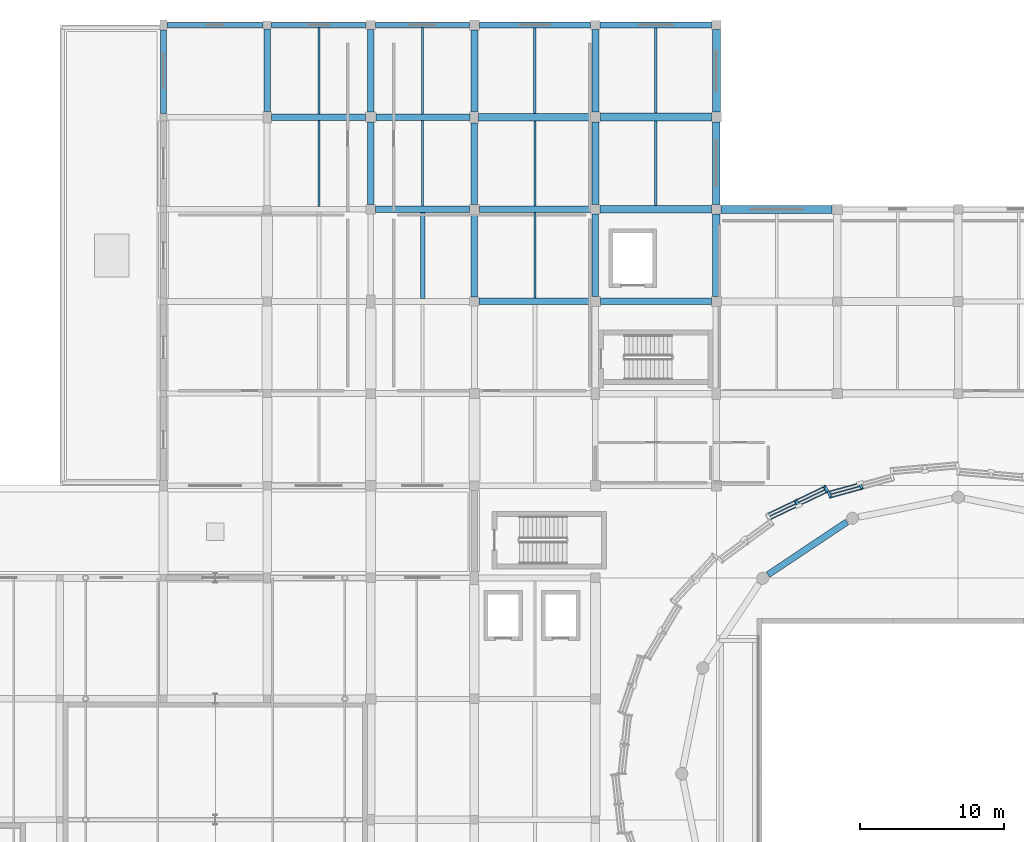
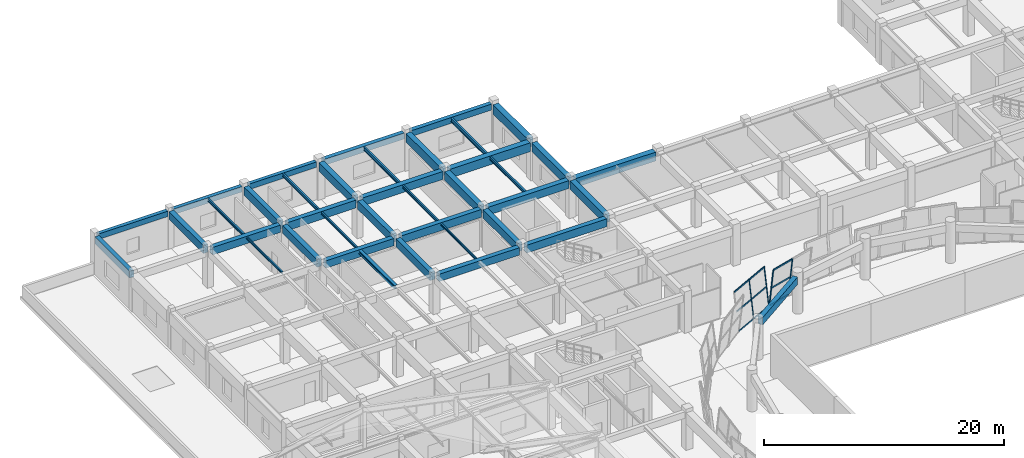
# One storey, part 34 of 74: 39 beams, 13 members, 2 elements without a shape of their own.
"""IFC4 building model written with IfcOpenShell, lengths in metres."""

from ifc_helpers import new_model, si_unit, direction, frame, origin, origin_2d, place, context, subcontext, project, spatial, rectangle, hollow_rectangle, i_section, extrude, material, material_profile, profile_set, type_object, element, aggregate, save


model = new_model("IFC4")

# Units and contexts
model_context = context("Model", 3, precision=1e-05, world=origin(), true_north=direction((0.0, 1.0)))
body_context = subcontext(model_context, "Body", "Model", "MODEL_VIEW")
ifc_project = project(units=[si_unit("LENGTHUNIT", "METRE"), si_unit("AREAUNIT", "SQUARE_METRE"), si_unit("VOLUMEUNIT", "CUBIC_METRE"), si_unit("PLANEANGLEUNIT", "RADIAN"), si_unit("MASSUNIT", "GRAM", prefix="KILO")], contexts=[model_context])

# Site, building, storey
site_placement = place(None, origin())
site = spatial("IfcSite", under=ifc_project, at=site_placement, CompositionType="ELEMENT")
building_placement = place(site_placement, origin())
building = spatial("IfcBuilding", under=site, at=building_placement, Name="Korsvaeld Concert Hall", CompositionType="ELEMENT")
storey_placement = place(building_placement, frame((0.0, 0.0, 9.0)))
storey = spatial("IfcBuildingStorey", under=building, at=storey_placement, Name="L02", CompositionType="ELEMENT", Elevation=9.0)

# Beams
ifc_material_1 = material(Name="Concrete C35/45", Category="concrete")
ifc_material_profile_1 = material_profile(ifc_material_1, rectangle(XDim=0.39990234375, YDim=0.699951171875, at=origin_2d()), Name="RC 400x700")
ifc_profile_set_1 = profile_set([ifc_material_profile_1], Name="Concrete C35/45")
beam_type_1 = type_object("IfcBeamType", Name="BM-RC-400x700", PredefinedType="T_BEAM", material=ifc_profile_set_1)
beam_1_placement = place(storey_placement, frame((28.800048828125, 109.050048828125, 3.489990234375), z_axis=(0.0, 1.0, 0.0), x_axis=(-1.0, 0.0, 0.0)))
element("IfcBeam", 1, at=beam_1_placement, inside=storey, type_object=beam_type_1, Name="Primary girder 5/R-S L02", PredefinedType="T_BEAM", context=body_context, shape_type="SweptSolid", body=[
    extrude(rectangle(XDim=0.39990234375, YDim=0.699951171875, at=origin_2d()), origin(), (0.0, 0.0, 1.0), 5.800048828125),
])
ifc_material_profile_2 = material_profile(ifc_material_1, rectangle(XDim=0.449951171875, YDim=0.75, at=origin_2d()), Name="RC 450x750")
ifc_profile_set_2 = profile_set([ifc_material_profile_2], Name="Concrete C35/45")
beam_type_2 = type_object("IfcBeamType", Name="BM-RC-450x750", PredefinedType="T_BEAM", material=ifc_profile_set_2)
beam_2_placement = place(storey_placement, frame((50.72509765625, 96.0, 3.465087890625), z_axis=(1.0, 0.0, 0.0), x_axis=(0.0, 1.0, 0.0)))
element("IfcBeam", 2, at=beam_2_placement, inside=storey, type_object=beam_type_2, Name="Primary girder 8-9/P L02", PredefinedType="T_BEAM", context=body_context, shape_type="SweptSolid", body=[
    extrude(rectangle(XDim=0.449951171875, YDim=0.75, at=origin_2d()), origin(), (0.0, 0.0, 1.0), 7.724853515625),
])
beam_3_placement = place(storey_placement, frame((43.52490234375, 102.39990234375, 3.465087890625), z_axis=(1.0, 0.0, 0.0), x_axis=(0.0, 1.0, 0.0)))
element("IfcBeam", 3, at=beam_3_placement, inside=storey, type_object=beam_type_2, Name="Primary girder 7-8/Q L02", PredefinedType="T_BEAM", context=body_context, shape_type="SweptSolid", body=[
    extrude(rectangle(XDim=0.449951171875, YDim=0.75, at=origin_2d()), origin(), (0.0, 0.0, 1.0), 6.525146484375),
])
beam_4_placement = place(storey_placement, frame((36.300048828125, 108.800048828125, 3.465087890625), z_axis=(1.0, 0.0, 0.0), x_axis=(0.0, 1.0, 0.0)))
element("IfcBeam", 4, at=beam_4_placement, inside=storey, type_object=beam_type_2, Name="Primary girder 6-7/R L02", PredefinedType="T_BEAM", context=body_context, shape_type="SweptSolid", body=[
    extrude(rectangle(XDim=0.449951171875, YDim=0.75, at=origin_2d()), origin(), (0.0, 0.0, 1.0), 6.550048828125),
])
beam_5_placement = place(storey_placement, frame((76.2783203125, 80.6884765625, 3.465087890625), z_axis=(-0.83148573347, -0.55554610523, 0.0), x_axis=(0.55554610523, -0.83148573347, 0.0)))
element("IfcBeam", 5, at=beam_5_placement, inside=storey, type_object=beam_type_2, Name="Drum ring floor girder L02 06", PredefinedType="T_BEAM", context=body_context, shape_type="SweptSolid", body=[
    extrude(rectangle(XDim=0.449951171875, YDim=0.75, at=origin_2d()), origin(), (0.0, 0.0, 1.0), 6.591552734375),
])
ifc_material_profile_3 = material_profile(ifc_material_1, rectangle(XDim=0.449951171875, YDim=0.800048828125, at=origin_2d()), Name="RC 450x800")
ifc_profile_set_3 = profile_set([ifc_material_profile_3], Name="Concrete C35/45")
beam_type_3 = type_object("IfcBeamType", Name="BM-RC-450x800", PredefinedType="T_BEAM", material=ifc_profile_set_3)
beam_6_placement = place(storey_placement, frame((59.14990234375, 96.0, 3.43994140625), z_axis=(1.0, 0.0, 0.0), x_axis=(0.0, 1.0, 0.0)))
element("IfcBeam", 6, at=beam_6_placement, inside=storey, type_object=beam_type_3, Name="Primary girder 9-10/P L02", PredefinedType="T_BEAM", context=body_context, shape_type="SweptSolid", body=[
    extrude(rectangle(XDim=0.449951171875, YDim=0.800048828125, at=origin_2d()), origin(), (0.0, 0.0, 1.0), 7.7001953125),
])
beam_7_placement = place(storey_placement, frame((50.75, 102.39990234375, 3.43994140625), z_axis=(1.0, 0.0, 0.0), x_axis=(0.0, 1.0, 0.0)))
element("IfcBeam", 7, at=beam_7_placement, inside=storey, type_object=beam_type_3, Name="Primary girder 8-9/Q L02", PredefinedType="T_BEAM", context=body_context, shape_type="SweptSolid", body=[
    extrude(rectangle(XDim=0.449951171875, YDim=0.800048828125, at=origin_2d()), origin(), (0.0, 0.0, 1.0), 7.72509765625),
])
beam_8_placement = place(storey_placement, frame((43.550048828125, 108.800048828125, 3.43994140625), z_axis=(1.0, 0.0, 0.0), x_axis=(0.0, 1.0, 0.0)))
element("IfcBeam", 8, at=beam_8_placement, inside=storey, type_object=beam_type_3, Name="Primary girder 7-8/R L02", PredefinedType="T_BEAM", context=body_context, shape_type="SweptSolid", body=[
    extrude(rectangle(XDim=0.449951171875, YDim=0.800048828125, at=origin_2d()), origin(), (0.0, 0.0, 1.0), 6.550048828125),
])
beam_9_placement = place(storey_placement, frame((36.0, 109.199951171875, 3.43994140625), z_axis=(0.0, 1.0, 0.0), x_axis=(-1.0, 0.0, 0.0)))
element("IfcBeam", 9, at=beam_9_placement, inside=storey, type_object=beam_type_3, Name="Primary girder 6/R-S L02", PredefinedType="T_BEAM", context=body_context, shape_type="SweptSolid", body=[
    extrude(rectangle(XDim=0.449951171875, YDim=0.800048828125, at=origin_2d()), origin(), (0.0, 0.0, 1.0), 5.72509765625),
])
beam_10_placement = place(storey_placement, frame((43.199951171875, 102.72509765625, 3.43994140625), z_axis=(0.0, 1.0, 0.0), x_axis=(-1.0, 0.0, 0.0)))
element("IfcBeam", 10, at=beam_10_placement, inside=storey, type_object=beam_type_3, Name="Primary girder 7/Q-R L02", PredefinedType="T_BEAM", context=body_context, shape_type="SweptSolid", body=[
    extrude(rectangle(XDim=0.449951171875, YDim=0.800048828125, at=origin_2d()), origin(), (0.0, 0.0, 1.0), 5.724853515625),
])
beam_11_placement = place(storey_placement, frame((50.39990234375, 96.324951171875, 3.43994140625), z_axis=(0.0, 1.0, 0.0), x_axis=(-1.0, 0.0, 0.0)))
element("IfcBeam", 11, at=beam_11_placement, inside=storey, type_object=beam_type_3, Name="Primary girder 8/P-Q L02", PredefinedType="T_BEAM", context=body_context, shape_type="SweptSolid", body=[
    extrude(rectangle(XDim=0.449951171875, YDim=0.800048828125, at=origin_2d()), origin(), (0.0, 0.0, 1.0), 5.72509765625),
])
ifc_material_2 = material(Name="Concrete C40/50", Category="concrete")
ifc_material_profile_4 = material_profile(ifc_material_2, rectangle(XDim=0.449951171875, YDim=0.85009765625, at=origin_2d()), Name="RC 450x850")
ifc_profile_set_4 = profile_set([ifc_material_profile_4], Name="Concrete C40/50")
beam_type_4 = type_object("IfcBeamType", Name="BM-RC-450x850", PredefinedType="T_BEAM", material=ifc_profile_set_4)
beam_12_placement = place(storey_placement, frame((43.199951171875, 109.14990234375, 3.4150390625), z_axis=(0.0, 1.0, 0.0), x_axis=(-1.0, 0.0, 0.0)))
element("IfcBeam", 12, at=beam_12_placement, inside=storey, type_object=beam_type_4, Name="Primary girder 7/R-S L02", PredefinedType="T_BEAM", context=body_context, shape_type="SweptSolid", body=[
    extrude(rectangle(XDim=0.449951171875, YDim=0.85009765625, at=origin_2d()), origin(), (0.0, 0.0, 1.0), 5.72509765625),
])
beam_13_placement = place(storey_placement, frame((50.39990234375, 102.75, 3.4150390625), z_axis=(0.0, 1.0, 0.0), x_axis=(-1.0, 0.0, 0.0)))
element("IfcBeam", 13, at=beam_13_placement, inside=storey, type_object=beam_type_4, Name="Primary girder 8/Q-R L02", PredefinedType="T_BEAM", context=body_context, shape_type="SweptSolid", body=[
    extrude(rectangle(XDim=0.449951171875, YDim=0.85009765625, at=origin_2d()), origin(), (0.0, 0.0, 1.0), 5.64990234375),
])
beam_14_placement = place(storey_placement, frame((58.800048828125, 96.35009765625, 3.4150390625), z_axis=(0.0, 1.0, 0.0), x_axis=(-1.0, 0.0, 0.0)))
element("IfcBeam", 14, at=beam_14_placement, inside=storey, type_object=beam_type_4, Name="Primary girder 9/P-Q L02", PredefinedType="T_BEAM", context=body_context, shape_type="SweptSolid", body=[
    extrude(rectangle(XDim=0.449951171875, YDim=0.85009765625, at=origin_2d()), origin(), (0.0, 0.0, 1.0), 5.724853515625),
])
ifc_material_profile_5 = material_profile(ifc_material_2, rectangle(XDim=0.5, YDim=0.800048828125, at=origin_2d()), Name="RC 500x800")
ifc_profile_set_5 = profile_set([ifc_material_profile_5], Name="Concrete C40/50")
beam_type_5 = type_object("IfcBeamType", Name="BM-RC-500x800", PredefinedType="T_BEAM", material=ifc_profile_set_5)
for number, where, z_axis, x_axis, name in (
    (15, (59.125, 102.39990234375, 3.43994140625), (1.0, 0.0, 0.0), (0.0, 1.0, 0.0), "Primary girder 9-10/Q L02"),
    (16, (50.699951171875, 108.800048828125, 3.43994140625), (1.0, 0.0, 0.0), (0.0, 1.0, 0.0), "Primary girder 8-9/R L02"),
):
    element("IfcBeam", number, at=place(storey_placement, frame(where, z_axis=z_axis, x_axis=x_axis)), inside=storey, type_object=beam_type_5, Name=name, PredefinedType="T_BEAM", context=body_context, shape_type="SweptSolid", body=[
        extrude(rectangle(XDim=0.5, YDim=0.800048828125, at=origin_2d()), origin(), (0.0, 0.0, 1.0), 7.75),
    ])
ifc_material_profile_6 = material_profile(ifc_material_2, rectangle(XDim=0.5, YDim=0.85009765625, at=origin_2d()), Name="RC 500x850")
ifc_profile_set_6 = profile_set([ifc_material_profile_6], Name="Concrete C40/50")
beam_type_6 = type_object("IfcBeamType", Name="BM-RC-500x850", PredefinedType="T_BEAM", material=ifc_profile_set_6)
beam_15_placement = place(storey_placement, frame((50.39990234375, 109.199951171875, 3.4150390625), z_axis=(0.0, 1.0, 0.0), x_axis=(-1.0, 0.0, 0.0)))
element("IfcBeam", 17, at=beam_15_placement, inside=storey, type_object=beam_type_6, Name="Primary girder 8/R-S L02", PredefinedType="T_BEAM", context=body_context, shape_type="SweptSolid", body=[
    extrude(rectangle(XDim=0.5, YDim=0.85009765625, at=origin_2d()), origin(), (0.0, 0.0, 1.0), 5.650146484375),
])
for number, where, z_axis, x_axis, name in (
    (18, (58.800048828125, 102.72509765625, 3.4150390625), (0.0, 1.0, 0.0), (-1.0, 0.0, 0.0), "Primary girder 9/Q-R L02"),
    (19, (67.199951171875, 96.35009765625, 3.4150390625), (0.0, 1.0, 0.0), (-1.0, 0.0, 0.0), "Primary girder 10/P-Q L02"),
):
    element("IfcBeam", number, at=place(storey_placement, frame(where, z_axis=z_axis, x_axis=x_axis)), inside=storey, type_object=beam_type_6, Name=name, PredefinedType="T_BEAM", context=body_context, shape_type="SweptSolid", body=[
        extrude(rectangle(XDim=0.5, YDim=0.85009765625, at=origin_2d()), origin(), (0.0, 0.0, 1.0), 5.724853515625),
    ])
ifc_material_profile_7 = material_profile(ifc_material_2, rectangle(XDim=0.5, YDim=0.89990234375, at=origin_2d()), Name="RC 500x900")
ifc_profile_set_7 = profile_set([ifc_material_profile_7], Name="Concrete C40/50")
beam_type_7 = type_object("IfcBeamType", Name="BM-RC-500x900", PredefinedType="T_BEAM", material=ifc_profile_set_7)
beam_16_placement = place(storey_placement, frame((58.800048828125, 109.14990234375, 3.389892578125), z_axis=(0.0, 1.0, 0.0), x_axis=(-1.0, 0.0, 0.0)))
element("IfcBeam", 20, at=beam_16_placement, inside=storey, type_object=beam_type_7, Name="Primary girder 9/R-S L02", PredefinedType="T_BEAM", context=body_context, shape_type="SweptSolid", body=[
    extrude(rectangle(XDim=0.5, YDim=0.89990234375, at=origin_2d()), origin(), (0.0, 0.0, 1.0), 5.72509765625),
])
beam_17_placement = place(storey_placement, frame((67.199951171875, 102.72509765625, 3.389892578125), z_axis=(0.0, 1.0, 0.0), x_axis=(-1.0, 0.0, 0.0)))
element("IfcBeam", 21, at=beam_17_placement, inside=storey, type_object=beam_type_7, Name="Primary girder 10/Q-R L02", PredefinedType="T_BEAM", context=body_context, shape_type="SweptSolid", body=[
    extrude(rectangle(XDim=0.5, YDim=0.89990234375, at=origin_2d()), origin(), (0.0, 0.0, 1.0), 5.724853515625),
])
ifc_material_profile_8 = material_profile(ifc_material_2, rectangle(XDim=0.550048828125, YDim=0.89990234375, at=origin_2d()), Name="RC 550x900")
ifc_profile_set_8 = profile_set([ifc_material_profile_8], Name="Concrete C40/50")
beam_type_8 = type_object("IfcBeamType", Name="BM-RC-550x900", PredefinedType="T_BEAM", material=ifc_profile_set_8)
beam_18_placement = place(storey_placement, frame((67.52490234375, 102.39990234375, 3.389892578125), z_axis=(1.0, 0.0, 0.0), x_axis=(0.0, 1.0, 0.0)))
element("IfcBeam", 22, at=beam_18_placement, inside=storey, type_object=beam_type_8, Name="Primary girder 10-11/Q L02", PredefinedType="T_BEAM", context=body_context, shape_type="SweptSolid", body=[
    extrude(rectangle(XDim=0.550048828125, YDim=0.89990234375, at=origin_2d()), origin(), (0.0, 0.0, 1.0), 7.72509765625),
])
beam_19_placement = place(storey_placement, frame((59.14990234375, 108.800048828125, 3.389892578125), z_axis=(1.0, 0.0, 0.0), x_axis=(0.0, 1.0, 0.0)))
element("IfcBeam", 23, at=beam_19_placement, inside=storey, type_object=beam_type_8, Name="Primary girder 9-10/R L02", PredefinedType="T_BEAM", context=body_context, shape_type="SweptSolid", body=[
    extrude(rectangle(XDim=0.550048828125, YDim=0.89990234375, at=origin_2d()), origin(), (0.0, 0.0, 1.0), 7.7001953125),
])
ifc_material_profile_9 = material_profile(ifc_material_2, rectangle(XDim=0.550048828125, YDim=0.949951171875, at=origin_2d()), Name="RC 550x950")
ifc_profile_set_9 = profile_set([ifc_material_profile_9], Name="Concrete C40/50")
beam_type_9 = type_object("IfcBeamType", Name="BM-RC-550x950", PredefinedType="T_BEAM", material=ifc_profile_set_9)
beam_20_placement = place(storey_placement, frame((67.199951171875, 109.14990234375, 3.364990234375), z_axis=(0.0, 1.0, 0.0), x_axis=(-1.0, 0.0, 0.0)))
element("IfcBeam", 24, at=beam_20_placement, inside=storey, type_object=beam_type_9, Name="Primary girder 10/R-S L02", PredefinedType="T_BEAM", context=body_context, shape_type="SweptSolid", body=[
    extrude(rectangle(XDim=0.550048828125, YDim=0.949951171875, at=origin_2d()), origin(), (0.0, 0.0, 1.0), 5.72509765625),
])
ifc_material_profile_10 = material_profile(ifc_material_1, rectangle(XDim=0.35009765625, YDim=0.550048828125, at=origin_2d()), Name="RC 350x550")
ifc_profile_set_10 = profile_set([ifc_material_profile_10], Name="Concrete C35/45")
beam_type_10 = type_object("IfcBeamType", Name="BM-SP-350x550", PredefinedType="SPANDREL", material=ifc_profile_set_10)
beam_21_placement = place(storey_placement, frame((29.050048828125, 115.199951171875, 3.56494140625), z_axis=(1.0, 0.0, 0.0), x_axis=(0.0, 1.0, 0.0)))
element("IfcBeam", 25, at=beam_21_placement, inside=storey, type_object=beam_type_10, Name="Primary girder 5-6/S L02", PredefinedType="SPANDREL", context=body_context, shape_type="SweptSolid", body=[
    extrude(rectangle(XDim=0.35009765625, YDim=0.550048828125, at=origin_2d()), origin(), (0.0, 0.0, 1.0), 6.675048828125),
])
beam_22_placement = place(storey_placement, frame((36.27490234375, 115.199951171875, 3.56494140625), z_axis=(1.0, 0.0, 0.0), x_axis=(0.0, 1.0, 0.0)))
element("IfcBeam", 26, at=beam_22_placement, inside=storey, type_object=beam_type_10, Name="Primary girder 6-7/S L02", PredefinedType="SPANDREL", context=body_context, shape_type="SweptSolid", body=[
    extrude(rectangle(XDim=0.35009765625, YDim=0.550048828125, at=origin_2d()), origin(), (0.0, 0.0, 1.0), 6.60009765625),
])
beam_23_placement = place(storey_placement, frame((43.52490234375, 115.199951171875, 3.56494140625), z_axis=(1.0, 0.0, 0.0), x_axis=(0.0, 1.0, 0.0)))
element("IfcBeam", 27, at=beam_23_placement, inside=storey, type_object=beam_type_10, Name="Primary girder 7-8/S L02", PredefinedType="SPANDREL", context=body_context, shape_type="SweptSolid", body=[
    extrude(rectangle(XDim=0.35009765625, YDim=0.550048828125, at=origin_2d()), origin(), (0.0, 0.0, 1.0), 6.525146484375),
])
ifc_material_profile_11 = material_profile(ifc_material_1, rectangle(XDim=0.39990234375, YDim=0.60009765625, at=origin_2d()), Name="RC 400x600")
ifc_profile_set_11 = profile_set([ifc_material_profile_11], Name="Concrete C35/45")
beam_type_11 = type_object("IfcBeamType", Name="BM-SP-400x600", PredefinedType="SPANDREL", material=ifc_profile_set_11)
beam_24_placement = place(storey_placement, frame((50.75, 115.199951171875, 3.5400390625), z_axis=(1.0, 0.0, 0.0), x_axis=(0.0, 1.0, 0.0)))
element("IfcBeam", 28, at=beam_24_placement, inside=storey, type_object=beam_type_11, Name="Primary girder 8-9/S L02", PredefinedType="SPANDREL", context=body_context, shape_type="SweptSolid", body=[
    extrude(rectangle(XDim=0.39990234375, YDim=0.60009765625, at=origin_2d()), origin(), (0.0, 0.0, 1.0), 7.72509765625),
])
beam_25_placement = place(storey_placement, frame((59.125, 115.199951171875, 3.5400390625), z_axis=(1.0, 0.0, 0.0), x_axis=(0.0, 1.0, 0.0)))
element("IfcBeam", 29, at=beam_25_placement, inside=storey, type_object=beam_type_11, Name="Primary girder 9-10/S L02", PredefinedType="SPANDREL", context=body_context, shape_type="SweptSolid", body=[
    extrude(rectangle(XDim=0.39990234375, YDim=0.60009765625, at=origin_2d()), origin(), (0.0, 0.0, 1.0), 7.75),
])
ifc_material_3 = material(Name="Steel S355J2", Category="steel")
ifc_material_profile_12 = material_profile(ifc_material_3, i_section(OverallWidth=0.300048828125, OverallDepth=0.35009765625, WebThickness=0.010009765625, FlangeThickness=0.017578125, FilletRadius=0.027099609375, at=origin_2d()), Name="HEA 360")
ifc_profile_set_12 = profile_set([ifc_material_profile_12], Name="Steel S355J2")
beam_type_12 = type_object("IfcBeamType", Name="BM-STL-HEA360", PredefinedType="BEAM", material=ifc_profile_set_12)
beam_26_placement = place(storey_placement, frame((46.800048828125, 96.199951171875, 3.6650390625), z_axis=(0.0, 1.0, 0.0), x_axis=(-1.0, 0.0, 0.0)))
element("IfcBeam", 30, at=beam_26_placement, inside=storey, type_object=beam_type_12, Name="Secondary steel floor beam 7-8/P L02", PredefinedType="BEAM", context=body_context, shape_type="SweptSolid", body=[
    extrude(i_section(OverallWidth=0.300048828125, OverallDepth=0.35009765625, WebThickness=0.010009765625, FlangeThickness=0.017578125, FilletRadius=0.027099609375, at=origin_2d()), origin(), (0.0, 0.0, 1.0), 5.97509765625),
])
ifc_material_profile_13 = material_profile(ifc_material_3, i_section(OverallWidth=0.1201171875, OverallDepth=0.239990234375, WebThickness=0.006103515625, FlangeThickness=0.009765625, FilletRadius=0.014892578125, at=origin_2d()), Name="IPE 240")
ifc_profile_set_13 = profile_set([ifc_material_profile_13], Name="Steel S355J2")
beam_type_13 = type_object("IfcBeamType", Name="BM-STL-IPE240", PredefinedType="JOIST", material=ifc_profile_set_13)
beam_27_placement = place(storey_placement, frame((39.60009765625, 102.60009765625, 3.719970703125), z_axis=(0.0, 1.0, 0.0), x_axis=(-1.0, 0.0, 0.0)))
element("IfcBeam", 31, at=beam_27_placement, inside=storey, type_object=beam_type_13, Name="Secondary steel floor beam 6-7/Q L02", PredefinedType="JOIST", context=body_context, shape_type="SweptSolid", body=[
    extrude(i_section(OverallWidth=0.1201171875, OverallDepth=0.239990234375, WebThickness=0.006103515625, FlangeThickness=0.009765625, FilletRadius=0.014892578125, at=origin_2d()), origin(), (0.0, 0.0, 1.0), 5.974853515625),
])
beam_28_placement = place(storey_placement, frame((54.60009765625, 96.22509765625, 3.719970703125), z_axis=(0.0, 1.0, 0.0), x_axis=(-1.0, 0.0, 0.0)))
element("IfcBeam", 32, at=beam_28_placement, inside=storey, type_object=beam_type_13, Name="Secondary steel floor beam 8-9/P L02", PredefinedType="JOIST", context=body_context, shape_type="SweptSolid", body=[
    extrude(i_section(OverallWidth=0.1201171875, OverallDepth=0.239990234375, WebThickness=0.006103515625, FlangeThickness=0.009765625, FilletRadius=0.014892578125, at=origin_2d()), origin(), (0.0, 0.0, 1.0), 5.949951171875),
])
ifc_material_profile_14 = material_profile(ifc_material_3, i_section(OverallWidth=0.135009765625, OverallDepth=0.27001953125, WebThickness=0.006591796875, FlangeThickness=0.01025390625, FilletRadius=0.014892578125, at=origin_2d()), Name="IPE 270")
ifc_profile_set_14 = profile_set([ifc_material_profile_14], Name="Steel S355J2")
beam_type_14 = type_object("IfcBeamType", Name="BM-STL-IPE270", PredefinedType="JOIST", material=ifc_profile_set_14)
beam_29_placement = place(storey_placement, frame((46.800048828125, 102.625, 3.705078125), z_axis=(0.0, 1.0, 0.0), x_axis=(-1.0, 0.0, 0.0)))
element("IfcBeam", 33, at=beam_29_placement, inside=storey, type_object=beam_type_14, Name="Secondary steel floor beam 7-8/Q L02", PredefinedType="JOIST", context=body_context, shape_type="SweptSolid", body=[
    extrude(i_section(OverallWidth=0.135009765625, OverallDepth=0.27001953125, WebThickness=0.006591796875, FlangeThickness=0.01025390625, FilletRadius=0.014892578125, at=origin_2d()), origin(), (0.0, 0.0, 1.0), 5.949951171875),
])
ifc_material_profile_15 = material_profile(ifc_material_3, i_section(OverallWidth=0.14990234375, OverallDepth=0.300048828125, WebThickness=0.007080078125, FlangeThickness=0.0107421875, FilletRadius=0.014892578125, at=origin_2d()), Name="IPE 300")
ifc_profile_set_15 = profile_set([ifc_material_profile_15], Name="Steel S355J2")
beam_type_15 = type_object("IfcBeamType", Name="BM-STL-IPE300", PredefinedType="JOIST", material=ifc_profile_set_15)
beam_30_placement = place(storey_placement, frame((39.60009765625, 109.02490234375, 3.68994140625), z_axis=(0.0, 1.0, 0.0), x_axis=(-1.0, 0.0, 0.0)))
element("IfcBeam", 34, at=beam_30_placement, inside=storey, type_object=beam_type_15, Name="Secondary steel floor beam 6-7/R L02", PredefinedType="JOIST", context=body_context, shape_type="SweptSolid", body=[
    extrude(i_section(OverallWidth=0.14990234375, OverallDepth=0.300048828125, WebThickness=0.007080078125, FlangeThickness=0.0107421875, FilletRadius=0.014892578125, at=origin_2d()), origin(), (0.0, 0.0, 1.0), 6.0),
])
beam_31_placement = place(storey_placement, frame((54.60009765625, 102.625, 3.68994140625), z_axis=(0.0, 1.0, 0.0), x_axis=(-1.0, 0.0, 0.0)))
element("IfcBeam", 35, at=beam_31_placement, inside=storey, type_object=beam_type_15, Name="Secondary steel floor beam 8-9/Q L02", PredefinedType="JOIST", context=body_context, shape_type="SweptSolid", body=[
    extrude(i_section(OverallWidth=0.14990234375, OverallDepth=0.300048828125, WebThickness=0.007080078125, FlangeThickness=0.0107421875, FilletRadius=0.014892578125, at=origin_2d()), origin(), (0.0, 0.0, 1.0), 5.925048828125),
])
ifc_material_profile_16 = material_profile(ifc_material_3, i_section(OverallWidth=0.159912109375, OverallDepth=0.330078125, WebThickness=0.007568359375, FlangeThickness=0.011474609375, FilletRadius=0.01806640625, at=origin_2d()), Name="IPE 330")
ifc_profile_set_16 = profile_set([ifc_material_profile_16], Name="Steel S355J2")
beam_type_16 = type_object("IfcBeamType", Name="BM-STL-IPE330", PredefinedType="BEAM", material=ifc_profile_set_16)
beam_32_placement = place(storey_placement, frame((46.800048828125, 109.02490234375, 3.675048828125), z_axis=(0.0, 1.0, 0.0), x_axis=(-1.0, 0.0, 0.0)))
element("IfcBeam", 36, at=beam_32_placement, inside=storey, type_object=beam_type_16, Name="Secondary steel floor beam 7-8/R L02", PredefinedType="BEAM", context=body_context, shape_type="SweptSolid", body=[
    extrude(i_section(OverallWidth=0.159912109375, OverallDepth=0.330078125, WebThickness=0.007568359375, FlangeThickness=0.011474609375, FilletRadius=0.01806640625, at=origin_2d()), origin(), (0.0, 0.0, 1.0), 6.0),
])
beam_33_placement = place(storey_placement, frame((63.0, 102.64990234375, 3.675048828125), z_axis=(0.0, 1.0, 0.0), x_axis=(-1.0, 0.0, 0.0)))
element("IfcBeam", 37, at=beam_33_placement, inside=storey, type_object=beam_type_16, Name="Secondary steel floor beam 9-10/Q L02", PredefinedType="BEAM", context=body_context, shape_type="SweptSolid", body=[
    extrude(i_section(OverallWidth=0.159912109375, OverallDepth=0.330078125, WebThickness=0.007568359375, FlangeThickness=0.011474609375, FilletRadius=0.01806640625, at=origin_2d()), origin(), (0.0, 0.0, 1.0), 5.875),
])
ifc_material_profile_17 = material_profile(ifc_material_3, i_section(OverallWidth=0.169921875, OverallDepth=0.360107421875, WebThickness=0.008056640625, FlangeThickness=0.0126953125, FilletRadius=0.01806640625, at=origin_2d()), Name="IPE 360")
ifc_profile_set_17 = profile_set([ifc_material_profile_17], Name="Steel S355J2")
beam_type_17 = type_object("IfcBeamType", Name="BM-STL-IPE360", PredefinedType="BEAM", material=ifc_profile_set_17)
beam_34_placement = place(storey_placement, frame((54.60009765625, 109.050048828125, 3.659912109375), z_axis=(0.0, 1.0, 0.0), x_axis=(-1.0, 0.0, 0.0)))
element("IfcBeam", 38, at=beam_34_placement, inside=storey, type_object=beam_type_17, Name="Secondary steel floor beam 8-9/R L02", PredefinedType="BEAM", context=body_context, shape_type="SweptSolid", body=[
    extrude(i_section(OverallWidth=0.169921875, OverallDepth=0.360107421875, WebThickness=0.008056640625, FlangeThickness=0.0126953125, FilletRadius=0.01806640625, at=origin_2d()), origin(), (0.0, 0.0, 1.0), 5.949951171875),
])
ifc_material_profile_18 = material_profile(ifc_material_3, i_section(OverallWidth=0.179931640625, OverallDepth=0.39990234375, WebThickness=0.008544921875, FlangeThickness=0.013427734375, FilletRadius=0.02099609375, at=origin_2d()), Name="IPE 400")
ifc_profile_set_18 = profile_set([ifc_material_profile_18], Name="Steel S355J2")
beam_type_18 = type_object("IfcBeamType", Name="BM-STL-IPE400", PredefinedType="BEAM", material=ifc_profile_set_18)
beam_35_placement = place(storey_placement, frame((63.0, 109.074951171875, 3.639892578125), z_axis=(0.0, 1.0, 0.0), x_axis=(-1.0, 0.0, 0.0)))
element("IfcBeam", 39, at=beam_35_placement, inside=storey, type_object=beam_type_18, Name="Secondary steel floor beam 9-10/R L02", PredefinedType="BEAM", context=body_context, shape_type="SweptSolid", body=[
    extrude(i_section(OverallWidth=0.179931640625, OverallDepth=0.39990234375, WebThickness=0.008544921875, FlangeThickness=0.013427734375, FilletRadius=0.02099609375, at=origin_2d()), origin(), (0.0, 0.0, 1.0), 5.925048828125),
])

# Curtain wall, members
ifc_material_4 = material(Name="Anodised bronze and ceramic-fritted safety glass", Category="glass")
curtain_wall_type_1 = type_object("IfcCurtainWallType", Name="CW-TYPE-02", PredefinedType="USERDEFINED", material=ifc_material_4)
curtain_wall_1_placement = place(storey_placement, origin())
curtain_wall_1 = element("IfcCurtainWall", 40, at=curtain_wall_1_placement, inside=storey, type_object=curtain_wall_type_1, Name="Crystal curtain-wall facet L02 F10", ObjectType="CURTAIN WALL", PredefinedType="USERDEFINED")
ifc_material_5 = material(Name="Anodised architectural bronze aluminium", Category="aluminium")
ifc_material_profile_19 = material_profile(ifc_material_5, hollow_rectangle(XDim=0.074951171875, YDim=0.179931640625, WallThickness=0.0048828125, at=origin_2d()), Name="CWM 180x75x5")
ifc_profile_set_19 = profile_set([ifc_material_profile_19], Name="Anodised architectural bronze aluminium")
member_type_1 = type_object("IfcMemberType", Name="CWM-BRONZE-180x75", PredefinedType="MULLION", material=ifc_profile_set_19)
member_1_placement = place(storey_placement, frame((77.182373046875, 83.389404296875, 0.0), z_axis=(0.036199127939, -0.107284462077, 0.993569155788), x_axis=(0.555586106848, -0.82425112305, -0.109243599485)))
member_1 = element("IfcMember", 41, at=member_1_placement, type_object=member_type_1, Name="CW-CRYS-L02-F10 crystal mullion 2", PredefinedType="MULLION", context=body_context, shape_type="SweptSolid", body=[
    extrude(hollow_rectangle(XDim=0.074951171875, YDim=0.179931640625, WallThickness=0.0048828125, at=origin_2d()), origin(), (0.0, 0.0, 1.0), 3.905029296875),
])
member_2_placement = place(storey_placement, frame((75.0048828125, 82.796142578125, 0.0), z_axis=(0.036199127939, -0.107284462077, 0.993569155788), x_axis=(0.555586106848, -0.82425112305, -0.109243599485)))
member_2 = element("IfcMember", 42, at=member_2_placement, type_object=member_type_1, Name="CW-CRYS-L02-F10 crystal mullion 3", PredefinedType="MULLION", context=body_context, shape_type="SweptSolid", body=[
    extrude(hollow_rectangle(XDim=0.074951171875, YDim=0.179931640625, WallThickness=0.0048828125, at=origin_2d()), origin(), (0.0, 0.0, 1.0), 3.905029296875),
])

curtain_wall_type_2 = type_object("IfcCurtainWallType", Name="CW-TYPE-03", PredefinedType="USERDEFINED", material=ifc_material_4)
curtain_wall_2_placement = place(storey_placement, origin())
curtain_wall_2 = element("IfcCurtainWall", 43, at=curtain_wall_2_placement, inside=storey, type_object=curtain_wall_type_2, Name="Crystal curtain-wall facet L02 F11", ObjectType="CURTAIN WALL", PredefinedType="USERDEFINED")
ifc_material_profile_20 = material_profile(ifc_material_5, hollow_rectangle(XDim=0.074951171875, YDim=0.219970703125, WallThickness=0.006103515625, at=origin_2d()), Name="CWM 220x75x6")
ifc_profile_set_20 = profile_set([ifc_material_profile_20], Name="Anodised architectural bronze aluminium")
member_type_2 = type_object("IfcMemberType", Name="CWM-BRONZE-220x75", PredefinedType="MULLION", material=ifc_profile_set_20)
member_3_placement = place(storey_placement, frame((74.934814453125, 82.77001953125, 0.0), z_axis=(-0.057893742062, 0.097281493141, 0.993571651026), x_axis=(-0.829999138773, 0.548349174532, -0.102052008437)))
member_3 = element("IfcMember", 44, at=member_3_placement, type_object=member_type_2, Name="CW-CRYS-L02-F11 crystal mullion 1", PredefinedType="MULLION", context=body_context, shape_type="SweptSolid", body=[
    extrude(hollow_rectangle(XDim=0.074951171875, YDim=0.219970703125, WallThickness=0.006103515625, at=origin_2d()), origin(), (0.0, 0.0, 1.0), 3.905029296875),
])
member_4_placement = place(storey_placement, frame((72.9287109375, 81.806640625, 0.0), z_axis=(-0.057893742062, 0.097281493141, 0.993571651026), x_axis=(-0.829999138773, 0.548349174532, -0.102052008437)))
member_4 = element("IfcMember", 45, at=member_4_placement, type_object=member_type_2, Name="CW-CRYS-L02-F11 crystal mullion 2", PredefinedType="MULLION", context=body_context, shape_type="SweptSolid", body=[
    extrude(hollow_rectangle(XDim=0.074951171875, YDim=0.219970703125, WallThickness=0.006103515625, at=origin_2d()), origin(), (0.0, 0.0, 1.0), 3.905029296875),
])

# Member
ifc_material_profile_21 = material_profile(ifc_material_5, hollow_rectangle(XDim=0.074951171875, YDim=0.14990234375, WallThickness=0.0048828125, at=origin_2d()), Name="CWT 150x75x5")
ifc_profile_set_21 = profile_set([ifc_material_profile_21], Name="Anodised architectural bronze aluminium")
member_type_3 = type_object("IfcMemberType", Name="CWT-BRONZE-150x75", PredefinedType="USERDEFINED", material=ifc_profile_set_21)
member_5_placement = place(storey_placement, frame((77.147216796875, 83.376220703125, 0.030029296875), z_axis=(-0.964833511963, -0.262861739689, 0.0), x_axis=(0.262861739689, -0.964833511963, 0.0)))
member_5 = element("IfcMember", 46, at=member_5_placement, type_object=member_type_3, Name="CW-CRYS-L02-F10 crystal transom 2.1", ObjectType="TRANSOM", PredefinedType="USERDEFINED", context=body_context, shape_type="SweptSolid", body=[
    extrude(hollow_rectangle(XDim=0.074951171875, YDim=0.14990234375, WallThickness=0.0048828125, at=origin_2d()), origin(), (0.0, 0.0, 1.0), 2.181640625),
])

member_6_placement = place(storey_placement, frame((77.216796875, 83.170166015625, 1.93994140625), z_axis=(-0.964805126409, -0.262965906641, 0.0), x_axis=(0.262965906641, -0.964805126409, 0.0)))
member_6 = element("IfcMember", 47, at=member_6_placement, type_object=member_type_3, Name="CW-CRYS-L02-F10 crystal transom 2.2", ObjectType="TRANSOM", PredefinedType="USERDEFINED", context=body_context, shape_type="SweptSolid", body=[
    extrude(hollow_rectangle(XDim=0.074951171875, YDim=0.14990234375, WallThickness=0.0048828125, at=origin_2d()), origin(), (0.0, 0.0, 1.0), 2.181884765625),
])

member_7_placement = place(storey_placement, frame((77.286376953125, 82.9638671875, 3.85009765625), z_axis=(-0.964833511963, -0.262861739689, 0.0), x_axis=(0.262861739689, -0.964833511963, 0.0)))
member_7 = element("IfcMember", 48, at=member_7_placement, type_object=member_type_3, Name="CW-CRYS-L02-F10 crystal transom 2.3", ObjectType="TRANSOM", PredefinedType="USERDEFINED", context=body_context, shape_type="SweptSolid", body=[
    extrude(hollow_rectangle(XDim=0.074951171875, YDim=0.14990234375, WallThickness=0.0048828125, at=origin_2d()), origin(), (0.0, 0.0, 1.0), 2.181640625),
])

aggregate(curtain_wall_1, [member_1, member_2, member_5, member_6, member_7])

member_8_placement = place(storey_placement, frame((74.8994140625, 82.756591796875, 0.030029296875), z_axis=(-0.901508884705, -0.432760592935, 0.0), x_axis=(0.432760592935, -0.901508884705, 0.0)))
member_8 = element("IfcMember", 49, at=member_8_placement, type_object=member_type_3, Name="CW-CRYS-L02-F11 crystal transom 1.1", ObjectType="TRANSOM", PredefinedType="USERDEFINED", context=body_context, shape_type="SweptSolid", body=[
    extrude(hollow_rectangle(XDim=0.074951171875, YDim=0.14990234375, WallThickness=0.0048828125, at=origin_2d()), origin(), (0.0, 0.0, 1.0), 2.150634765625),
])

member_9_placement = place(storey_placement, frame((74.7880859375, 82.943603515625, 1.93994140625), z_axis=(-0.901508884705, -0.432760592935, 0.0), x_axis=(0.432760592935, -0.901508884705, 0.0)))
member_9 = element("IfcMember", 50, at=member_9_placement, type_object=member_type_3, Name="CW-CRYS-L02-F11 crystal transom 1.2", ObjectType="TRANSOM", PredefinedType="USERDEFINED", context=body_context, shape_type="SweptSolid", body=[
    extrude(hollow_rectangle(XDim=0.074951171875, YDim=0.14990234375, WallThickness=0.0048828125, at=origin_2d()), origin(), (0.0, 0.0, 1.0), 2.150634765625),
])

member_10_placement = place(storey_placement, frame((74.6767578125, 83.130615234375, 3.85009765625), z_axis=(-0.901508884705, -0.432760592935, 0.0), x_axis=(0.432760592935, -0.901508884705, 0.0)))
member_10 = element("IfcMember", 51, at=member_10_placement, type_object=member_type_3, Name="CW-CRYS-L02-F11 crystal transom 1.3", ObjectType="TRANSOM", PredefinedType="USERDEFINED", context=body_context, shape_type="SweptSolid", body=[
    extrude(hollow_rectangle(XDim=0.074951171875, YDim=0.14990234375, WallThickness=0.0048828125, at=origin_2d()), origin(), (0.0, 0.0, 1.0), 2.150634765625),
])

member_11_placement = place(storey_placement, frame((72.89306640625, 81.79345703125, 0.030029296875), z_axis=(-0.901464591462, -0.432852850679, 0.0), x_axis=(0.432852850679, -0.901464591462, 0.0)))
member_11 = element("IfcMember", 52, at=member_11_placement, type_object=member_type_3, Name="CW-CRYS-L02-F11 crystal transom 2.1", ObjectType="TRANSOM", PredefinedType="USERDEFINED", context=body_context, shape_type="SweptSolid", body=[
    extrude(hollow_rectangle(XDim=0.074951171875, YDim=0.14990234375, WallThickness=0.0048828125, at=origin_2d()), origin(), (0.0, 0.0, 1.0), 2.150634765625),
])

member_12_placement = place(storey_placement, frame((72.78173828125, 81.98046875, 1.93994140625), z_axis=(-0.901464591462, -0.432852850679, 0.0), x_axis=(0.432852850679, -0.901464591462, 0.0)))
member_12 = element("IfcMember", 53, at=member_12_placement, type_object=member_type_3, Name="CW-CRYS-L02-F11 crystal transom 2.2", ObjectType="TRANSOM", PredefinedType="USERDEFINED", context=body_context, shape_type="SweptSolid", body=[
    extrude(hollow_rectangle(XDim=0.074951171875, YDim=0.14990234375, WallThickness=0.0048828125, at=origin_2d()), origin(), (0.0, 0.0, 1.0), 2.150634765625),
])

member_13_placement = place(storey_placement, frame((72.67041015625, 82.16748046875, 3.85009765625), z_axis=(-0.901464591462, -0.432852850679, 0.0), x_axis=(0.432852850679, -0.901464591462, 0.0)))
member_13 = element("IfcMember", 54, at=member_13_placement, type_object=member_type_3, Name="CW-CRYS-L02-F11 crystal transom 2.3", ObjectType="TRANSOM", PredefinedType="USERDEFINED", context=body_context, shape_type="SweptSolid", body=[
    extrude(hollow_rectangle(XDim=0.074951171875, YDim=0.14990234375, WallThickness=0.0048828125, at=origin_2d()), origin(), (0.0, 0.0, 1.0), 2.150634765625),
])

aggregate(curtain_wall_2, [member_3, member_4, member_8, member_9, member_10, member_11, member_12, member_13])

save(model, "model.ifc")
